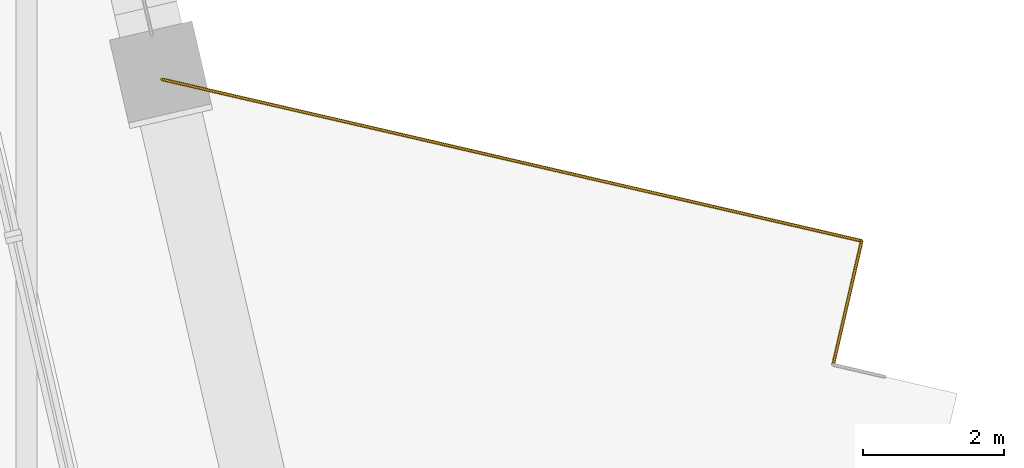
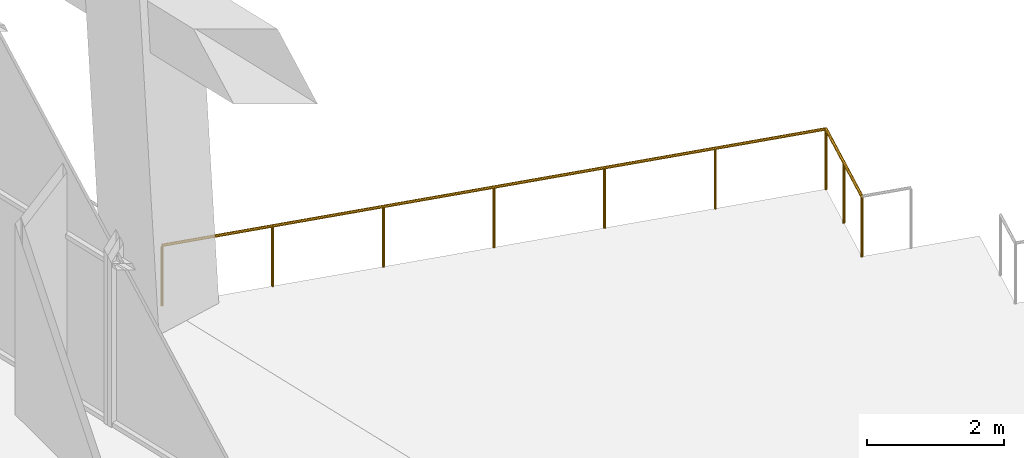
# One storey, part 23 of 24: 2 railings.
"""IFC4 building model written with IfcOpenShell, lengths in metres."""

from ifc_helpers import new_model, si_unit, direction, frame, origin, origin_2d, place, context, subcontext, project, spatial, circle, extrude, material, type_object, element, save


model = new_model("IFC4")

# Units and contexts
model_context = context("Model", 3, precision=1e-05, world=origin(), true_north=direction((0.0, 1.0)))
body_context = subcontext(model_context, "Body", "Model", "MODEL_VIEW")
ifc_project = project(units=[si_unit("LENGTHUNIT", "METRE"), si_unit("AREAUNIT", "SQUARE_METRE"), si_unit("VOLUMEUNIT", "CUBIC_METRE"), si_unit("PLANEANGLEUNIT", "RADIAN"), si_unit("MASSUNIT", "GRAM", prefix="KILO")], contexts=[model_context])

# Site, building, storey
site_placement = place(None, origin())
site = spatial("IfcSite", under=ifc_project, at=site_placement, CompositionType="ELEMENT")
building_placement = place(site_placement, origin())
building = spatial("IfcBuilding", under=site, at=building_placement, Name="Ogive Exchange Tower", CompositionType="ELEMENT")
storey_placement = place(building_placement, frame((0.0, 0.0, 165.60009765625)))
storey = spatial("IfcBuildingStorey", under=building, at=storey_placement, Name="L36", CompositionType="ELEMENT", Elevation=165.60009765625)

# Railings
ifc_material = material(Name="Stainless steel 316", Category="steel")
railing_type = type_object("IfcRailingType", Name="Balustrade 1100 glass and stainless steel", PredefinedType="BALUSTRADE", material=ifc_material)
railing_1_placement = place(storey_placement, frame((35.6318359375, 36.144287109375, 0.0)))
element("IfcRailing", 1, at=railing_1_placement, inside=storey, type_object=railing_type, Name="Terrace balustrade 13", PredefinedType="BALUSTRADE", context=body_context, shape_type="SweptSolid", body=[
    extrude(circle(Radius=0.02392578125, at=origin_2d()), frame((0.0, 0.0, 1.076171875), z_axis=(-0.225008086135, -0.974356896201, 0.0), x_axis=(0.974356896201, -0.225008086135, 0.0)), (0.0, 0.0, 1.0), 1.800048828125),
    extrude(circle(Radius=0.02099609375, at=origin_2d()), origin(), (0.0, 0.0, 1.0), 1.052001953125),
    extrude(circle(Radius=0.02099609375, at=origin_2d()), frame((-0.20263671875, -0.876953125, 0.0)), (0.0, 0.0, 1.0), 1.052001953125),
    extrude(circle(Radius=0.02099609375, at=origin_2d()), frame((-0.405029296875, -1.75390625, 0.0)), (0.0, 0.0, 1.0), 1.052001953125),
])
railing_2_placement = place(storey_placement, frame((25.72607421875, 38.431396484375, 0.0)))
element("IfcRailing", 2, at=railing_2_placement, inside=storey, type_object=railing_type, Name="Terrace balustrade 18", PredefinedType="BALUSTRADE", context=body_context, shape_type="SweptSolid", body=[
    extrude(circle(Radius=0.02392578125, at=origin_2d()), frame((0.0, 0.0, 1.076171875), z_axis=(0.974366095778, -0.224968245311, 0.0), x_axis=(0.224968245311, 0.974366095778, 0.0)), (0.0, 0.0, 1.0), 10.166259765625),
    extrude(circle(Radius=0.02099609375, at=origin_2d()), origin(), (0.0, 0.0, 1.0), 1.052001953125),
    extrude(circle(Radius=0.02099609375, at=origin_2d()), frame((1.65087890625, -0.381103515625, 0.0)), (0.0, 0.0, 1.0), 1.052001953125),
    extrude(circle(Radius=0.02099609375, at=origin_2d()), frame((3.302001953125, -0.762451171875, 0.0)), (0.0, 0.0, 1.0), 1.052001953125),
    extrude(circle(Radius=0.02099609375, at=origin_2d()), frame((4.952880859375, -1.1435546875, 0.0)), (0.0, 0.0, 1.0), 1.052001953125),
    extrude(circle(Radius=0.02099609375, at=origin_2d()), frame((6.603759765625, -1.524658203125, 0.0)), (0.0, 0.0, 1.0), 1.052001953125),
    extrude(circle(Radius=0.02099609375, at=origin_2d()), frame((8.2548828125, -1.906005859375, 0.0)), (0.0, 0.0, 1.0), 1.052001953125),
    extrude(circle(Radius=0.02099609375, at=origin_2d()), frame((9.90576171875, -2.287109375, 0.0)), (0.0, 0.0, 1.0), 1.052001953125),
])

save(model, "model.ifc")
